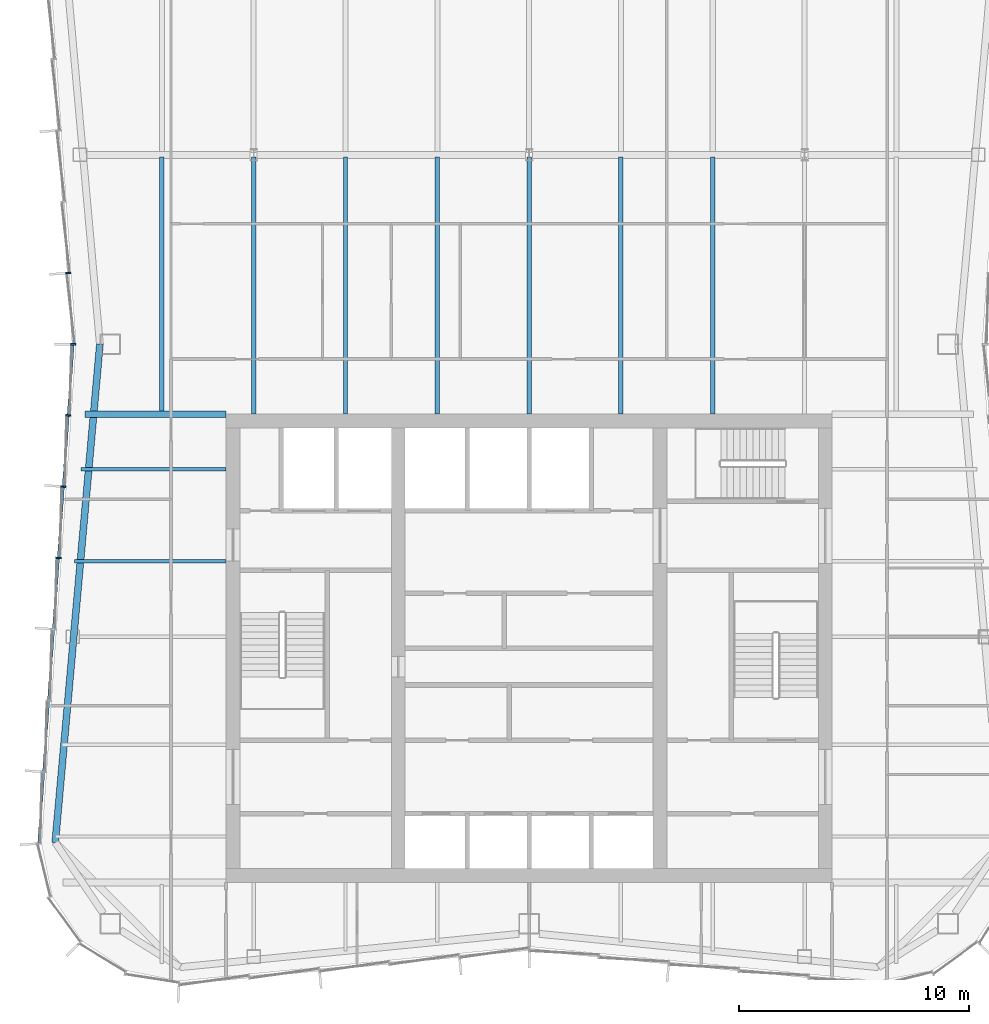
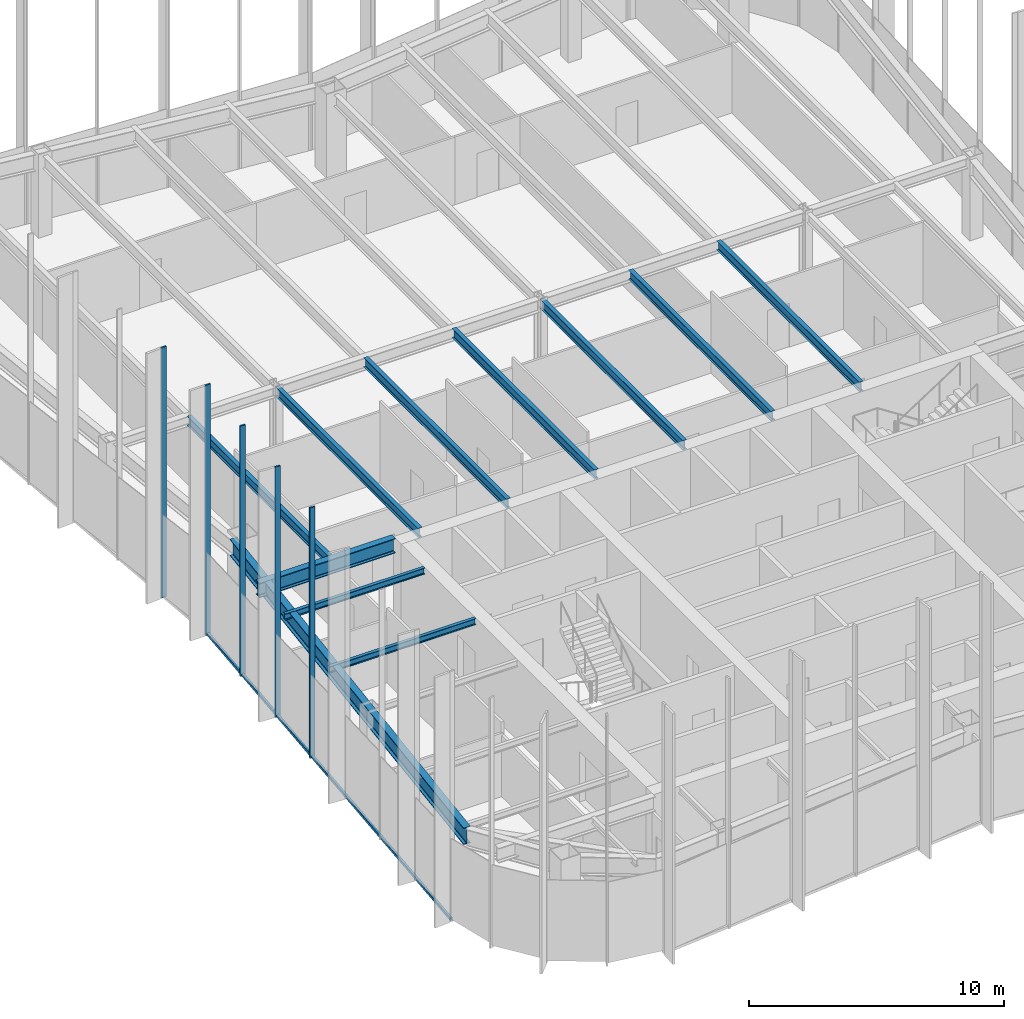
# One storey, part 4 of 13: 11 beams, 6 members, 1 element without a shape of its own.
"""IFC4 building model written with IfcOpenShell, lengths in metres."""

from ifc_helpers import new_model, si_unit, direction, frame, origin, origin_2d, place, context, subcontext, project, spatial, rectangle, i_section, extrude, material, material_profile, profile_set, type_object, element, aggregate, save


model = new_model("IFC4")

# Units and contexts
model_context = context("Model", 3, precision=1e-05, world=origin(), true_north=direction((0.0, 1.0)))
body_context = subcontext(model_context, "Body", "Model", "MODEL_VIEW")
ifc_project = project(units=[si_unit("LENGTHUNIT", "METRE"), si_unit("AREAUNIT", "SQUARE_METRE"), si_unit("VOLUMEUNIT", "CUBIC_METRE"), si_unit("PLANEANGLEUNIT", "RADIAN"), si_unit("MASSUNIT", "GRAM", prefix="KILO")], contexts=[model_context])

# Site, building, storey
site_placement = place(None, origin())
site = spatial("IfcSite", under=ifc_project, at=site_placement, CompositionType="ELEMENT")
building_placement = place(site_placement, origin())
building = spatial("IfcBuilding", under=site, at=building_placement, Name="Verdant Reach Tower", CompositionType="ELEMENT")
storey_placement = place(building_placement, frame((0.0, 0.0, 306.0)))
storey = spatial("IfcBuildingStorey", under=building, at=storey_placement, Name="L70", CompositionType="ELEMENT", Elevation=306.0)

# Curtain wall, members
ifc_material_1 = material(Name="Anodised aluminium", Category="aluminium")
curtain_wall_type = type_object("IfcCurtainWallType", Name="EN-CW SYSTEM Z5", PredefinedType="NOTDEFINED", material=ifc_material_1)
curtain_wall_placement = place(storey_placement, origin())
curtain_wall = element("IfcCurtainWall", 1, at=curtain_wall_placement, inside=storey, type_object=curtain_wall_type, Name="Curtain wall west, L70", PredefinedType="NOTDEFINED")
ifc_material_profile_1 = material_profile(ifc_material_1, rectangle(XDim=0.22998046875, YDim=0.070068359375, at=origin_2d()), Name="Mullion 70x230")
ifc_profile_set_1 = profile_set([ifc_material_profile_1], Name="Anodised aluminium")
member_type_1 = type_object("IfcMemberType", Name="EN-MULLION Z5", PredefinedType="MULLION", material=ifc_profile_set_1)
member_1_placement = place(storey_placement, frame((-20.0791015625, 44.34912109375, -0.35009765625), z_axis=(0.0, 0.0, 1.0), x_axis=(-0.997630328423, -0.068802091615, 0.0)))
member_1 = element("IfcMember", 2, at=member_1_placement, type_object=member_type_1, Name="Mullion west face part 1 7, L70", PredefinedType="MULLION", context=body_context, shape_type="SweptSolid", body=[
    extrude(rectangle(XDim=0.22998046875, YDim=0.070068359375, at=origin_2d()), origin(), (0.0, 0.0, 1.0), 12.0),
])
member_2_placement = place(storey_placement, frame((-19.864990234375, 41.25, -0.35009765625), z_axis=(0.0, 0.0, 1.0), x_axis=(-1.0, 0.0, 0.0)))
member_2 = element("IfcMember", 3, at=member_2_placement, type_object=member_type_1, Name="Mullion west face part 2 1, L70", PredefinedType="MULLION", context=body_context, shape_type="SweptSolid", body=[
    extrude(rectangle(XDim=0.22998046875, YDim=0.070068359375, at=origin_2d()), origin(), (0.0, 0.0, 1.0), 12.0),
])
member_3_placement = place(storey_placement, frame((-20.0791015625, 38.15087890625, -0.35009765625), z_axis=(0.0, 0.0, 1.0), x_axis=(-0.997630328423, 0.068802091615, 0.0)))
member_3 = element("IfcMember", 4, at=member_3_placement, type_object=member_type_1, Name="Mullion west face part 2 2, L70", PredefinedType="MULLION", context=body_context, shape_type="SweptSolid", body=[
    extrude(rectangle(XDim=0.22998046875, YDim=0.070068359375, at=origin_2d()), origin(), (0.0, 0.0, 1.0), 12.0),
])
member_4_placement = place(storey_placement, frame((-20.293212890625, 35.043701171875, -0.35009765625), z_axis=(0.0, 0.0, 1.0), x_axis=(-0.997630328423, 0.068802091615, 0.0)))
member_4 = element("IfcMember", 5, at=member_4_placement, type_object=member_type_1, Name="Mullion west face part 2 3, L70", PredefinedType="MULLION", context=body_context, shape_type="SweptSolid", body=[
    extrude(rectangle(XDim=0.22998046875, YDim=0.070068359375, at=origin_2d()), origin(), (0.0, 0.0, 1.0), 12.0),
])
member_5_placement = place(storey_placement, frame((-20.507568359375, 31.9365234375, -0.35009765625), z_axis=(0.0, 0.0, 1.0), x_axis=(-0.997630328423, 0.068802091615, 0.0)))
member_5 = element("IfcMember", 6, at=member_5_placement, type_object=member_type_1, Name="Mullion west face part 2 4, L70", PredefinedType="MULLION", context=body_context, shape_type="SweptSolid", body=[
    extrude(rectangle(XDim=0.22998046875, YDim=0.070068359375, at=origin_2d()), origin(), (0.0, 0.0, 1.0), 12.0),
])
ifc_material_profile_2 = material_profile(ifc_material_1, rectangle(XDim=0.10009765625, YDim=0.1298828125, at=origin_2d()), Name="Transom 130x100")
ifc_profile_set_2 = profile_set([ifc_material_profile_2], Name="Anodised aluminium")
member_type_2 = type_object("IfcMemberType", Name="EN-TRANSOM Z5", PredefinedType="USERDEFINED", material=ifc_profile_set_2)
member_6_placement = place(storey_placement, frame((-19.867431640625, 41.215087890625, -0.284912109375), z_axis=(-0.068764705107, -0.997632906099, 0.0), x_axis=(0.997632906099, -0.068764705107, 0.0)))
member_6 = element("IfcMember", 7, at=member_6_placement, type_object=member_type_2, Name="Transom west face part 2 1.1, L70", ObjectType="TRANSOM", PredefinedType="USERDEFINED", context=body_context, shape_type="SweptSolid", body=[
    extrude(rectangle(XDim=0.10009765625, YDim=0.1298828125, at=origin_2d()), origin(), (0.0, 0.0, 1.0), 21.739013671875),
])
aggregate(curtain_wall, [member_1, member_2, member_3, member_4, member_5, member_6])

# Beams
ifc_material_2 = material(Name="Steel S355", Category="steel")
ifc_material_profile_3 = material_profile(ifc_material_2, i_section(OverallWidth=0.300048828125, OverallDepth=0.699951171875, WebThickness=0.01708984375, FlangeThickness=0.031982421875, FilletRadius=0.027099609375, at=origin_2d()), Name="HEB 700")
ifc_profile_set_3 = profile_set([ifc_material_profile_3], Name="Steel S355")
beam_type_1 = type_object("IfcBeamType", Name="ST-BEAM-HEB700", PredefinedType="BEAM", material=ifc_profile_set_3)
beam_1_placement = place(storey_placement, frame((-13.199951171875, 38.199951171875, 3.52001953125), z_axis=(-1.0, 0.0, 0.0), x_axis=(0.0, -1.0, 0.0)))
element("IfcBeam", 8, at=beam_1_placement, inside=storey, type_object=beam_type_1, Name="Trimmer beam, L70", PredefinedType="BEAM", context=body_context, shape_type="SweptSolid", body=[
    extrude(i_section(OverallWidth=0.300048828125, OverallDepth=0.699951171875, WebThickness=0.01708984375, FlangeThickness=0.031982421875, FilletRadius=0.027099609375, at=origin_2d()), origin(), (0.0, 0.0, 1.0), 6.158935546875),
])
ifc_material_profile_4 = material_profile(ifc_material_2, i_section(OverallWidth=0.14990234375, OverallDepth=0.300048828125, WebThickness=0.007080078125, FlangeThickness=0.0107421875, FilletRadius=0.014892578125, at=origin_2d()), Name="IPE 300")
ifc_profile_set_4 = profile_set([ifc_material_profile_4], Name="Steel S355")
beam_type_2 = type_object("IfcBeamType", Name="ST-JOIST-IPE300", PredefinedType="JOIST", material=ifc_profile_set_4)
beam_2_placement = place(storey_placement, frame((-13.199951171875, 31.800048828125, 3.719970703125), z_axis=(-1.0, 0.0, 0.0), x_axis=(0.0, -1.0, 0.0)))
element("IfcBeam", 9, at=beam_2_placement, inside=storey, type_object=beam_type_2, Name="Floor joist, L70", PredefinedType="JOIST", context=body_context, shape_type="SweptSolid", body=[
    extrude(i_section(OverallWidth=0.14990234375, OverallDepth=0.300048828125, WebThickness=0.007080078125, FlangeThickness=0.0107421875, FilletRadius=0.014892578125, at=origin_2d()), origin(), (0.0, 0.0, 1.0), 6.600341796875),
])
beam_3_placement = place(storey_placement, frame((-13.199951171875, 35.800048828125, 3.719970703125), z_axis=(-1.0, 0.0, 0.0), x_axis=(0.0, -1.0, 0.0)))
element("IfcBeam", 10, at=beam_3_placement, inside=storey, type_object=beam_type_2, Name="Floor joist, L70", PredefinedType="JOIST", context=body_context, shape_type="SweptSolid", body=[
    extrude(i_section(OverallWidth=0.14990234375, OverallDepth=0.300048828125, WebThickness=0.007080078125, FlangeThickness=0.0107421875, FilletRadius=0.014892578125, at=origin_2d()), origin(), (0.0, 0.0, 1.0), 6.324462890625),
])
ifc_material_profile_5 = material_profile(ifc_material_2, i_section(OverallWidth=0.18994140625, OverallDepth=0.449951171875, WebThickness=0.009521484375, FlangeThickness=0.0146484375, FilletRadius=0.02099609375, at=origin_2d()), Name="IPE 450")
ifc_profile_set_5 = profile_set([ifc_material_profile_5], Name="Steel S355")
beam_type_3 = type_object("IfcBeamType", Name="ST-JOIST-IPE450", PredefinedType="JOIST", material=ifc_profile_set_5)
beam_4_placement = place(storey_placement, frame((-16.0, 38.300048828125, 3.64501953125), z_axis=(0.0, 1.0, 0.0), x_axis=(-1.0, 0.0, 0.0)))
element("IfcBeam", 11, at=beam_4_placement, inside=storey, type_object=beam_type_3, Name="Floor joist, L70", PredefinedType="JOIST", context=body_context, shape_type="SweptSolid", body=[
    extrude(i_section(OverallWidth=0.18994140625, OverallDepth=0.449951171875, WebThickness=0.009521484375, FlangeThickness=0.0146484375, FilletRadius=0.02099609375, at=origin_2d()), origin(), (0.0, 0.0, 1.0), 11.099853515625),
])
for number, where, z_axis, x_axis, name in (
    (12, (-12.0, 38.199951171875, 3.64501953125), (0.0, 1.0, 0.0), (-1.0, 0.0, 0.0), "Floor joist, L70"),
    (13, (-8.0, 38.199951171875, 3.64501953125), (0.0, 1.0, 0.0), (-1.0, 0.0, 0.0), "Floor joist, L70"),
    (14, (-4.0, 38.199951171875, 3.64501953125), (0.0, 1.0, 0.0), (-1.0, 0.0, 0.0), "Floor joist, L70"),
    (15, (0.0, 38.199951171875, 3.64501953125), (0.0, 1.0, 0.0), (-1.0, 0.0, 0.0), "Floor joist, L70"),
    (16, (4.0, 38.199951171875, 3.64501953125), (0.0, 1.0, 0.0), (-1.0, 0.0, 0.0), "Floor joist, L70"),
    (17, (8.0, 38.199951171875, 3.64501953125), (0.0, 1.0, 0.0), (-1.0, 0.0, 0.0), "Floor joist, L70"),
):
    element("IfcBeam", number, at=place(storey_placement, frame(where, z_axis=z_axis, x_axis=x_axis)), inside=storey, type_object=beam_type_3, Name=name, PredefinedType="JOIST", context=body_context, shape_type="SweptSolid", body=[
        extrude(i_section(OverallWidth=0.18994140625, OverallDepth=0.449951171875, WebThickness=0.009521484375, FlangeThickness=0.0146484375, FilletRadius=0.02099609375, at=origin_2d()), origin(), (0.0, 0.0, 1.0), 11.199951171875),
    ])
ifc_material_profile_6 = material_profile(ifc_material_2, i_section(OverallWidth=0.300048828125, OverallDepth=0.800048828125, WebThickness=0.017578125, FlangeThickness=0.032958984375, FilletRadius=0.030029296875, at=origin_2d()), Name="HEB 800")
ifc_profile_set_6 = profile_set([ifc_material_profile_6], Name="Steel S355")
beam_type_4 = type_object("IfcBeamType", Name="ST-SPANDREL-HEB800", PredefinedType="SPANDREL", material=ifc_profile_set_6)
beam_5_placement = place(storey_placement, frame((-20.64599609375, 19.53857421875, 3.469970703125), z_axis=(0.089274399498, 0.996007069048, 0.0), x_axis=(-0.996007069048, 0.089274399498, 0.0)))
element("IfcBeam", 18, at=beam_5_placement, inside=storey, type_object=beam_type_4, Name="Edge beam, L70", PredefinedType="SPANDREL", context=body_context, shape_type="SweptSolid", body=[
    extrude(i_section(OverallWidth=0.300048828125, OverallDepth=0.800048828125, WebThickness=0.017578125, FlangeThickness=0.032958984375, FilletRadius=0.030029296875, at=origin_2d()), origin(), (0.0, 0.0, 1.0), 21.798583984375),
])

save(model, "model.ifc")
